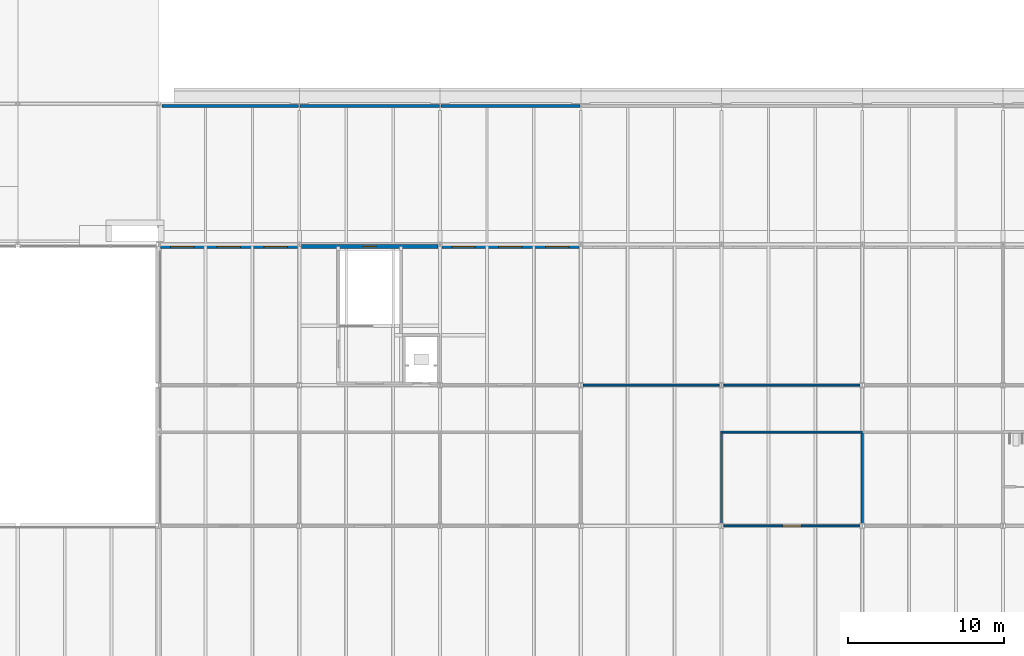
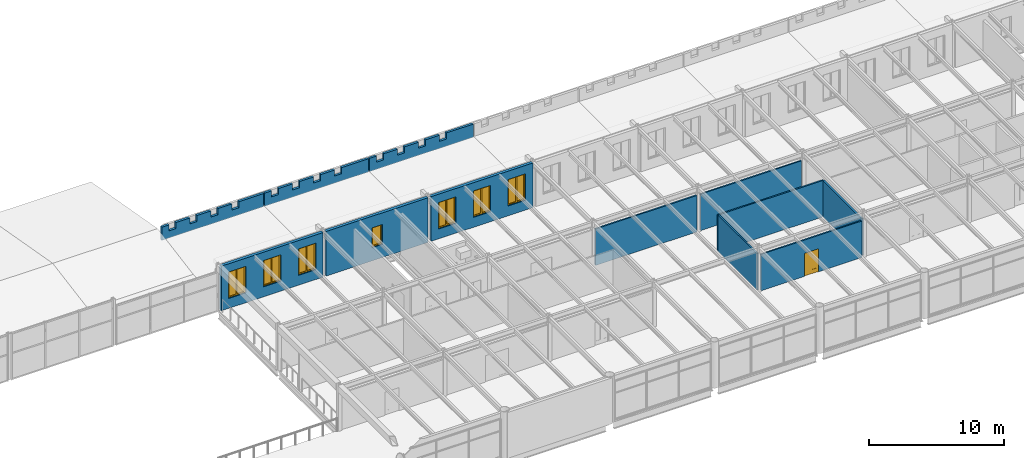
# One storey, part 81 of 123: 12 walls, 7 windows, 1 door, 8 openings.
"""IFC4 building model written with IfcOpenShell, lengths in metres."""

from ifc_helpers import new_model, si_unit, direction, frame, frame_2d, origin, place, context, subcontext, project, spatial, polyline, rectangle, outline, extrude, material, layer, layer_set, type_object, element, fill, save


model = new_model("IFC4")

# Units and contexts
model_context = context("Model", 3, precision=1e-05, world=origin(), true_north=direction((0.0, 1.0)))
body_context = subcontext(model_context, "Body", "Model", "MODEL_VIEW")
ifc_project = project(units=[si_unit("LENGTHUNIT", "METRE"), si_unit("AREAUNIT", "SQUARE_METRE"), si_unit("VOLUMEUNIT", "CUBIC_METRE"), si_unit("PLANEANGLEUNIT", "RADIAN"), si_unit("MASSUNIT", "GRAM", prefix="KILO")], contexts=[model_context])

# Site, building, storey
site_placement = place(None, origin())
site = spatial("IfcSite", under=ifc_project, at=site_placement, CompositionType="ELEMENT")
building_placement = place(site_placement, origin())
building = spatial("IfcBuilding", under=site, at=building_placement, Name="Baradari Gate Terminus", CompositionType="ELEMENT")
storey_placement = place(building_placement, frame((0.0, 0.0, 7.5)))
storey = spatial("IfcBuildingStorey", under=building, at=storey_placement, Name="L01", CompositionType="ELEMENT", Elevation=7.5)

# Walls
ifc_material_1 = material(Name="Gypsum board")
ifc_layer_1 = layer(ifc_material_1, 0.125)
ifc_layer_set_1 = layer_set([ifc_layer_1], Name="Gypsum board")
wall_type_1 = type_object("IfcWallType", Name="Corridor partition PT-5 125 EI 30", PredefinedType="PARTITIONING", material=ifc_layer_set_1)
wall_1_placement = place(storey_placement, frame((216.0, 96.0, 0.0), z_axis=(0.0, 0.0, 1.0), x_axis=(-1.0, 0.0, 0.0)))
element("IfcWall", 1, at=wall_1_placement, inside=storey, type_object=wall_type_1, Name="PT-5 partition Corridor (Service Corridor East) / Locker Room", PredefinedType="PARTITIONING", context=body_context, shape_type="SweptSolid", body=[
    extrude(rectangle(XDim=9.0625, YDim=0.125, at=frame_2d((4.53125, 0.0))), origin(), (0.0, 0.0, 1.0), 3.306884765625),
])
for number, where, z_axis, x_axis, name in (
    (2, (198.15380859375, 99.0, 0.0), (0.0, 0.0, 1.0), (1.0, 0.0, 0.0), "PT-5 partition Corridor (Service Corridor East) / Open Office"),
    (3, (207.15380859375, 99.0, 0.0), (0.0, 0.0, 1.0), (1.0, 0.0, 0.0), "PT-5 partition Corridor (Service Corridor East) / Open Office"),
):
    element("IfcWall", number, at=place(storey_placement, frame(where, z_axis=z_axis, x_axis=x_axis)), inside=storey, type_object=wall_type_1, Name=name, PredefinedType="PARTITIONING", context=body_context, shape_type="SweptSolid", body=[
        extrude(rectangle(XDim=8.6923828125, YDim=0.125, at=frame_2d((4.34619140625, 0.0))), origin(), (0.0, 0.0, 1.0), 3.306884765625),
    ])

# Wall, opening, door
wall_2_placement = place(storey_placement, frame((207.15380859375, 90.0, 0.0), z_axis=(0.0, 0.0, 1.0), x_axis=(1.0, 0.0, 0.0)))
wall_2 = element("IfcWall", 4, at=wall_2_placement, inside=storey, type_object=wall_type_1, Name="PT-5 partition Gallery / Locker Room", PredefinedType="PARTITIONING", context=body_context, shape_type="SweptSolid", body=[
    extrude(rectangle(XDim=8.6923828125, YDim=0.125, at=frame_2d((4.34619140625, 0.0))), origin(), (0.0, 0.0, 1.0), 3.306884765625),
])
opening_1_placement = place(wall_2_placement, frame((3.746337890625, 0.0, 0.0)))
opening_1 = element("IfcOpeningElement", 5, at=opening_1_placement, cuts=wall_2, Name="Opening D01-045", PredefinedType="OPENING", context=body_context, shape_type="SweptSolid", body=[
    extrude(rectangle(XDim=1.199951171875, YDim=2.10009765625, at=frame_2d((0.60009765625, 1.050048828125))), frame((0.0, 0.072509765625, 0.0), z_axis=(0.0, -1.0, 0.0), x_axis=(1.0, 0.0, 0.0)), (0.0, 0.0, 1.0), 0.14501953125),
])
ifc_material_2 = material(Name="Steel S275", Category="steel")
door_type = type_object("IfcDoorType", Name="Fire door FI-1200-FD30S 1200x2100 FD30S", OperationType="DOUBLE_DOOR_SINGLE_SWING", PredefinedType="DOOR", material=ifc_material_2)
door_placement = place(opening_1_placement, origin())
door = element("IfcDoor", 6, at=door_placement, inside=storey, type_object=door_type, Name="Door Locker Room", OperationType="DOUBLE_DOOR_SINGLE_SWING", OverallHeight=2.1, OverallWidth=1.2, PredefinedType="DOOR", context=body_context, shape_type="SweptSolid", body=[
    extrude(outline(polyline([(0.0, 0.0), (0.070068359375, 0.0), (0.070068359375, 2.030029296875), (1.1298828125, 2.030029296875), (1.1298828125, 0.0), (1.199951171875, 0.0), (1.199951171875, 2.10009765625), (0.0, 2.10009765625), (0.0, 0.0)])), frame((0.0, 0.02490234375, 0.0), z_axis=(0.0, -1.0, 0.0), x_axis=(1.0, 0.0, 0.0)), (0.0, 0.0, 1.0), 0.050048828125),
    extrude(outline(polyline([(0.073974609375, 0.010009765625), (0.596923828125, 0.010009765625), (0.596923828125, 2.026123046875), (0.073974609375, 2.026123046875), (0.073974609375, 0.010009765625)]), holes=[polyline([(0.178466796875, 0.372802734375), (0.492431640625, 0.372802734375), (0.492431640625, 1.7841796875), (0.178466796875, 1.7841796875), (0.178466796875, 0.372802734375)])]), frame((0.0, 0.017333984375, 0.0), z_axis=(0.0, -1.0, 0.0), x_axis=(1.0, 0.0, 0.0)), (0.0, 0.0, 1.0), 0.034912109375),
    extrude(rectangle(XDim=0.31396484375, YDim=1.411376953125, at=frame_2d((0.33544921875, 1.07861328125))), frame((0.0, 0.008544921875, 0.0), z_axis=(0.0, -1.0, 0.0), x_axis=(1.0, 0.0, 0.0)), (0.0, 0.0, 1.0), 0.017333984375),
    extrude(outline(polyline([(0.60302734375, 0.010009765625), (1.1259765625, 0.010009765625), (1.1259765625, 2.026123046875), (0.60302734375, 2.026123046875), (0.60302734375, 0.010009765625)]), holes=[polyline([(0.70751953125, 0.372802734375), (1.021484375, 0.372802734375), (1.021484375, 1.7841796875), (0.70751953125, 1.7841796875), (0.70751953125, 0.372802734375)])]), frame((0.0, 0.017333984375, 0.0), z_axis=(0.0, -1.0, 0.0), x_axis=(1.0, 0.0, 0.0)), (0.0, 0.0, 1.0), 0.034912109375),
    extrude(rectangle(XDim=0.31396484375, YDim=1.411376953125, at=frame_2d((0.864501953125, 1.07861328125))), frame((0.0, 0.008544921875, 0.0), z_axis=(0.0, -1.0, 0.0), x_axis=(1.0, 0.0, 0.0)), (0.0, 0.0, 1.0), 0.017333984375),
])
fill(opening_1, door)

# Wall
wall_3_placement = place(storey_placement, frame((207.0, 95.9375, 0.0), z_axis=(0.0, 0.0, 1.0), x_axis=(0.0, -1.0, 0.0)))
element("IfcWall", 7, at=wall_3_placement, inside=storey, type_object=wall_type_1, Name="PT-5 partition Corridor (Cross Passage East) / Locker Room", PredefinedType="PARTITIONING", context=body_context, shape_type="SweptSolid", body=[
    extrude(rectangle(XDim=5.7802734375, YDim=0.125, at=frame_2d((2.89013671875, 0.0))), origin(), (0.0, 0.0, 1.0), 3.306884765625),
])

# Wall, openings, windows
ifc_material_3 = material(Name="Laterite masonry", Category="masonry")
ifc_layer_2 = layer(ifc_material_3, 0.25)
ifc_layer_set_2 = layer_set([ifc_layer_2], Name="Laterite masonry")
wall_type_2 = type_object("IfcWallType", Name="Laterite masonry wall WP-1 250", PredefinedType="SOLIDWALL", material=ifc_layer_set_2)
wall_4_placement = place(storey_placement, frame((171.128173828125, 107.87841796875, 0.0), z_axis=(0.0, 0.0, 1.0), x_axis=(1.0, 0.0, 0.0)))
wall_4 = element("IfcWall", 8, at=wall_4_placement, inside=storey, type_object=wall_type_2, Name="arcade gallery wall HN bay 20 L01", PredefinedType="SOLIDWALL", context=body_context, shape_type="SweptSolid", body=[
    extrude(rectangle(XDim=8.74365234375, YDim=0.25, at=frame_2d((4.371826171875, 0.0))), origin(), (0.0, 0.0, 1.0), 4.050048828125),
])
opening_2_placement = place(wall_4_placement, frame((0.621826171875, 0.0, 0.89990234375)))
opening_2 = element("IfcOpeningElement", 9, at=opening_2_placement, cuts=wall_4, Name="Opening W1", PredefinedType="OPENING", context=body_context, shape_type="SweptSolid", body=[
    extrude(rectangle(XDim=1.5, YDim=2.39990234375, at=frame_2d((0.75, 1.199951171875))), frame((0.0, 0.135009765625, 0.0), z_axis=(0.0, -1.0, 0.0), x_axis=(1.0, 0.0, 0.0)), (0.0, 0.0, 1.0), 0.27001953125),
])
opening_3_placement = place(wall_4_placement, frame((3.621826171875, 0.0, 0.89990234375)))
opening_3 = element("IfcOpeningElement", 10, at=opening_3_placement, cuts=wall_4, Name="Opening W1", PredefinedType="OPENING", context=body_context, shape_type="SweptSolid", body=[
    extrude(rectangle(XDim=1.5, YDim=2.39990234375, at=frame_2d((0.75, 1.199951171875))), frame((0.0, 0.135009765625, 0.0), z_axis=(0.0, -1.0, 0.0), x_axis=(1.0, 0.0, 0.0)), (0.0, 0.0, 1.0), 0.27001953125),
])
opening_4_placement = place(wall_4_placement, frame((6.621826171875, 0.0, 0.89990234375)))
opening_4 = element("IfcOpeningElement", 11, at=opening_4_placement, cuts=wall_4, Name="Opening W1", PredefinedType="OPENING", context=body_context, shape_type="SweptSolid", body=[
    extrude(rectangle(XDim=1.5, YDim=2.39990234375, at=frame_2d((0.75, 1.199951171875))), frame((0.0, 0.135009765625, 0.0), z_axis=(0.0, -1.0, 0.0), x_axis=(1.0, 0.0, 0.0)), (0.0, 0.0, 1.0), 0.27001953125),
])
ifc_material_4 = material(Name="Aluminium 6063-T6", Category="aluminium")
window_type_1 = type_object("IfcWindowType", Name="Punched window, 2-light W1 1500x2400", PartitioningType="DOUBLE_PANEL_VERTICAL", PredefinedType="WINDOW", material=ifc_material_4)
window_1_placement = place(opening_2_placement, origin())
window_1 = element("IfcWindow", 12, at=window_1_placement, inside=storey, type_object=window_type_1, Name="Window W1 HN/19", OverallHeight=2.4, OverallWidth=1.5, PartitioningType="DOUBLE_PANEL_VERTICAL", PredefinedType="WINDOW", context=body_context, shape_type="SweptSolid", body=[
    extrude(outline(polyline([(0.0, 0.0), (1.5, 0.0), (1.5, 2.39990234375), (0.0, 2.39990234375), (0.0, 0.0)]), holes=[polyline([(0.070068359375, 0.070068359375), (1.429931640625, 0.070068359375), (1.429931640625, 2.329833984375), (0.070068359375, 2.329833984375), (0.070068359375, 0.070068359375)])]), frame((0.0, 0.030029296875, 0.0), z_axis=(0.0, -1.0, 0.0), x_axis=(1.0, 0.0, 0.0)), (0.0, 0.0, 1.0), 0.06005859375),
    extrude(rectangle(XDim=0.0400390625, YDim=2.259765625, at=frame_2d((0.75, 1.199951171875))), frame((0.0, 0.02197265625, 0.0), z_axis=(0.0, -1.0, 0.0), x_axis=(1.0, 0.0, 0.0)), (0.0, 0.0, 1.0), 0.0439453125),
    extrude(outline(polyline([(0.070068359375, 0.070068359375), (0.72998046875, 0.070068359375), (0.72998046875, 2.329833984375), (0.070068359375, 2.329833984375), (0.070068359375, 0.070068359375)]), holes=[polyline([(0.10009765625, 0.10009765625), (0.699951171875, 0.10009765625), (0.699951171875, 2.2998046875), (0.10009765625, 2.2998046875), (0.10009765625, 0.10009765625)])]), frame((0.0, 0.0224609375, 0.0), z_axis=(0.0, -1.0, 0.0), x_axis=(1.0, 0.0, 0.0)), (0.0, 0.0, 1.0), 0.044921875),
    extrude(rectangle(XDim=0.599853515625, YDim=2.19970703125, at=frame_2d((0.39990234375, 1.199951171875))), frame((0.0, 0.006103515625, 0.0), z_axis=(0.0, -1.0, 0.0), x_axis=(1.0, 0.0, 0.0)), (0.0, 0.0, 1.0), 0.01220703125),
    extrude(outline(polyline([(0.77001953125, 0.070068359375), (1.429931640625, 0.070068359375), (1.429931640625, 2.329833984375), (0.77001953125, 2.329833984375), (0.77001953125, 0.070068359375)]), holes=[polyline([(0.800048828125, 0.10009765625), (1.39990234375, 0.10009765625), (1.39990234375, 2.2998046875), (0.800048828125, 2.2998046875), (0.800048828125, 0.10009765625)])]), frame((0.0, 0.0224609375, 0.0), z_axis=(0.0, -1.0, 0.0), x_axis=(1.0, 0.0, 0.0)), (0.0, 0.0, 1.0), 0.044921875),
    extrude(rectangle(XDim=0.599853515625, YDim=2.19970703125, at=frame_2d((1.10009765625, 1.199951171875))), frame((0.0, 0.006103515625, 0.0), z_axis=(0.0, -1.0, 0.0), x_axis=(1.0, 0.0, 0.0)), (0.0, 0.0, 1.0), 0.01220703125),
])
fill(opening_2, window_1)
window_2_placement = place(opening_3_placement, origin())
window_2 = element("IfcWindow", 13, at=window_2_placement, inside=storey, type_object=window_type_1, Name="Window W1 HN/19", OverallHeight=2.4, OverallWidth=1.5, PartitioningType="DOUBLE_PANEL_VERTICAL", PredefinedType="WINDOW", context=body_context, shape_type="SweptSolid", body=[
    extrude(outline(polyline([(0.0, 0.0), (1.5, 0.0), (1.5, 2.39990234375), (0.0, 2.39990234375), (0.0, 0.0)]), holes=[polyline([(0.070068359375, 0.070068359375), (1.429931640625, 0.070068359375), (1.429931640625, 2.329833984375), (0.070068359375, 2.329833984375), (0.070068359375, 0.070068359375)])]), frame((0.0, 0.030029296875, 0.0), z_axis=(0.0, -1.0, 0.0), x_axis=(1.0, 0.0, 0.0)), (0.0, 0.0, 1.0), 0.06005859375),
    extrude(rectangle(XDim=0.0400390625, YDim=2.259765625, at=frame_2d((0.75, 1.199951171875))), frame((0.0, 0.02197265625, 0.0), z_axis=(0.0, -1.0, 0.0), x_axis=(1.0, 0.0, 0.0)), (0.0, 0.0, 1.0), 0.0439453125),
    extrude(outline(polyline([(0.070068359375, 0.070068359375), (0.72998046875, 0.070068359375), (0.72998046875, 2.329833984375), (0.070068359375, 2.329833984375), (0.070068359375, 0.070068359375)]), holes=[polyline([(0.10009765625, 0.10009765625), (0.699951171875, 0.10009765625), (0.699951171875, 2.2998046875), (0.10009765625, 2.2998046875), (0.10009765625, 0.10009765625)])]), frame((0.0, 0.0224609375, 0.0), z_axis=(0.0, -1.0, 0.0), x_axis=(1.0, 0.0, 0.0)), (0.0, 0.0, 1.0), 0.044921875),
    extrude(rectangle(XDim=0.599853515625, YDim=2.19970703125, at=frame_2d((0.39990234375, 1.199951171875))), frame((0.0, 0.006103515625, 0.0), z_axis=(0.0, -1.0, 0.0), x_axis=(1.0, 0.0, 0.0)), (0.0, 0.0, 1.0), 0.01220703125),
    extrude(outline(polyline([(0.77001953125, 0.070068359375), (1.429931640625, 0.070068359375), (1.429931640625, 2.329833984375), (0.77001953125, 2.329833984375), (0.77001953125, 0.070068359375)]), holes=[polyline([(0.800048828125, 0.10009765625), (1.39990234375, 0.10009765625), (1.39990234375, 2.2998046875), (0.800048828125, 2.2998046875), (0.800048828125, 0.10009765625)])]), frame((0.0, 0.0224609375, 0.0), z_axis=(0.0, -1.0, 0.0), x_axis=(1.0, 0.0, 0.0)), (0.0, 0.0, 1.0), 0.044921875),
    extrude(rectangle(XDim=0.599853515625, YDim=2.19970703125, at=frame_2d((1.10009765625, 1.199951171875))), frame((0.0, 0.006103515625, 0.0), z_axis=(0.0, -1.0, 0.0), x_axis=(1.0, 0.0, 0.0)), (0.0, 0.0, 1.0), 0.01220703125),
])
fill(opening_3, window_2)
window_3_placement = place(opening_4_placement, origin())
window_3 = element("IfcWindow", 14, at=window_3_placement, inside=storey, type_object=window_type_1, Name="Window W1 HN/19", OverallHeight=2.4, OverallWidth=1.5, PartitioningType="DOUBLE_PANEL_VERTICAL", PredefinedType="WINDOW", context=body_context, shape_type="SweptSolid", body=[
    extrude(outline(polyline([(0.0, 0.0), (1.5, 0.0), (1.5, 2.39990234375), (0.0, 2.39990234375), (0.0, 0.0)]), holes=[polyline([(0.070068359375, 0.070068359375), (1.429931640625, 0.070068359375), (1.429931640625, 2.329833984375), (0.070068359375, 2.329833984375), (0.070068359375, 0.070068359375)])]), frame((0.0, 0.030029296875, 0.0), z_axis=(0.0, -1.0, 0.0), x_axis=(1.0, 0.0, 0.0)), (0.0, 0.0, 1.0), 0.06005859375),
    extrude(rectangle(XDim=0.0400390625, YDim=2.259765625, at=frame_2d((0.75, 1.199951171875))), frame((0.0, 0.02197265625, 0.0), z_axis=(0.0, -1.0, 0.0), x_axis=(1.0, 0.0, 0.0)), (0.0, 0.0, 1.0), 0.0439453125),
    extrude(outline(polyline([(0.070068359375, 0.070068359375), (0.72998046875, 0.070068359375), (0.72998046875, 2.329833984375), (0.070068359375, 2.329833984375), (0.070068359375, 0.070068359375)]), holes=[polyline([(0.10009765625, 0.10009765625), (0.699951171875, 0.10009765625), (0.699951171875, 2.2998046875), (0.10009765625, 2.2998046875), (0.10009765625, 0.10009765625)])]), frame((0.0, 0.0224609375, 0.0), z_axis=(0.0, -1.0, 0.0), x_axis=(1.0, 0.0, 0.0)), (0.0, 0.0, 1.0), 0.044921875),
    extrude(rectangle(XDim=0.599853515625, YDim=2.19970703125, at=frame_2d((0.39990234375, 1.199951171875))), frame((0.0, 0.006103515625, 0.0), z_axis=(0.0, -1.0, 0.0), x_axis=(1.0, 0.0, 0.0)), (0.0, 0.0, 1.0), 0.01220703125),
    extrude(outline(polyline([(0.77001953125, 0.070068359375), (1.429931640625, 0.070068359375), (1.429931640625, 2.329833984375), (0.77001953125, 2.329833984375), (0.77001953125, 0.070068359375)]), holes=[polyline([(0.800048828125, 0.10009765625), (1.39990234375, 0.10009765625), (1.39990234375, 2.2998046875), (0.800048828125, 2.2998046875), (0.800048828125, 0.10009765625)])]), frame((0.0, 0.0224609375, 0.0), z_axis=(0.0, -1.0, 0.0), x_axis=(1.0, 0.0, 0.0)), (0.0, 0.0, 1.0), 0.044921875),
    extrude(rectangle(XDim=0.599853515625, YDim=2.19970703125, at=frame_2d((1.10009765625, 1.199951171875))), frame((0.0, 0.006103515625, 0.0), z_axis=(0.0, -1.0, 0.0), x_axis=(1.0, 0.0, 0.0)), (0.0, 0.0, 1.0), 0.01220703125),
])
fill(opening_4, window_3)

# Wall, opening, window
wall_5_placement = place(storey_placement, frame((180.128173828125, 107.87841796875, 0.0), z_axis=(0.0, 0.0, 1.0), x_axis=(1.0, 0.0, 0.0)))
wall_5 = element("IfcWall", 15, at=wall_5_placement, inside=storey, type_object=wall_type_2, Name="arcade gallery wall HN bay 21 L01", PredefinedType="SOLIDWALL", context=body_context, shape_type="SweptSolid", body=[
    extrude(rectangle(XDim=8.74365234375, YDim=0.25, at=frame_2d((4.371826171875, 0.0))), origin(), (0.0, 0.0, 1.0), 4.050048828125),
])
opening_5_placement = place(wall_5_placement, frame((3.921875, 0.0, 1.199951171875)))
opening_5 = element("IfcOpeningElement", 16, at=opening_5_placement, cuts=wall_5, Name="Opening W6", PredefinedType="OPENING", context=body_context, shape_type="SweptSolid", body=[
    extrude(rectangle(XDim=0.89990234375, YDim=1.800048828125, at=frame_2d((0.449951171875, 0.89990234375))), frame((0.0, 0.135009765625, 0.0), z_axis=(0.0, -1.0, 0.0), x_axis=(1.0, 0.0, 0.0)), (0.0, 0.0, 1.0), 0.27001953125),
])
ifc_material_5 = material(Name="Aluminium 6063-T6", Category="aluminium")
window_type_2 = type_object("IfcWindowType", Name="Stair light W6 900x1800", PartitioningType="SINGLE_PANEL", PredefinedType="WINDOW", material=ifc_material_5)
window_4_placement = place(opening_5_placement, origin())
window_4 = element("IfcWindow", 17, at=window_4_placement, inside=storey, type_object=window_type_2, Name="Window W6 HN/20", OverallHeight=1.8, OverallWidth=0.9, PartitioningType="SINGLE_PANEL", PredefinedType="WINDOW", context=body_context, shape_type="SweptSolid", body=[
    extrude(outline(polyline([(0.0, 0.0), (0.89990234375, 0.0), (0.89990234375, 1.800048828125), (0.0, 1.800048828125), (0.0, 0.0)]), holes=[polyline([(0.070068359375, 0.070068359375), (0.829833984375, 0.070068359375), (0.829833984375, 1.72998046875), (0.070068359375, 1.72998046875), (0.070068359375, 0.070068359375)])]), frame((0.0, 0.030029296875, 0.0), z_axis=(0.0, -1.0, 0.0), x_axis=(1.0, 0.0, 0.0)), (0.0, 0.0, 1.0), 0.06005859375),
    extrude(outline(polyline([(0.070068359375, 0.070068359375), (0.829833984375, 0.070068359375), (0.829833984375, 1.72998046875), (0.070068359375, 1.72998046875), (0.070068359375, 0.070068359375)]), holes=[polyline([(0.10009765625, 0.10009765625), (0.7998046875, 0.10009765625), (0.7998046875, 1.699951171875), (0.10009765625, 1.699951171875), (0.10009765625, 0.10009765625)])]), frame((0.0, 0.0224609375, 0.0), z_axis=(0.0, -1.0, 0.0), x_axis=(1.0, 0.0, 0.0)), (0.0, 0.0, 1.0), 0.044921875),
    extrude(rectangle(XDim=0.69970703125, YDim=1.599853515625, at=frame_2d((0.449951171875, 0.89990234375))), frame((0.0, 0.006103515625, 0.0), z_axis=(0.0, -1.0, 0.0), x_axis=(1.0, 0.0, 0.0)), (0.0, 0.0, 1.0), 0.01220703125),
])
fill(opening_5, window_4)

# Wall, openings, windows
wall_6_placement = place(storey_placement, frame((189.128173828125, 107.87841796875, 0.0), z_axis=(0.0, 0.0, 1.0), x_axis=(1.0, 0.0, 0.0)))
wall_6 = element("IfcWall", 18, at=wall_6_placement, inside=storey, type_object=wall_type_2, Name="arcade gallery wall HN bay 22 L01", PredefinedType="SOLIDWALL", context=body_context, shape_type="SweptSolid", body=[
    extrude(rectangle(XDim=8.74365234375, YDim=0.25, at=frame_2d((4.371826171875, 0.0))), origin(), (0.0, 0.0, 1.0), 4.050048828125),
])
opening_6_placement = place(wall_6_placement, frame((0.621826171875, 0.0, 0.89990234375)))
opening_6 = element("IfcOpeningElement", 19, at=opening_6_placement, cuts=wall_6, Name="Opening W1", PredefinedType="OPENING", context=body_context, shape_type="SweptSolid", body=[
    extrude(rectangle(XDim=1.5, YDim=2.39990234375, at=frame_2d((0.75, 1.199951171875))), frame((0.0, 0.135009765625, 0.0), z_axis=(0.0, -1.0, 0.0), x_axis=(1.0, 0.0, 0.0)), (0.0, 0.0, 1.0), 0.27001953125),
])
opening_7_placement = place(wall_6_placement, frame((3.621826171875, 0.0, 0.89990234375)))
opening_7 = element("IfcOpeningElement", 20, at=opening_7_placement, cuts=wall_6, Name="Opening W1", PredefinedType="OPENING", context=body_context, shape_type="SweptSolid", body=[
    extrude(rectangle(XDim=1.5, YDim=2.39990234375, at=frame_2d((0.75, 1.199951171875))), frame((0.0, 0.135009765625, 0.0), z_axis=(0.0, -1.0, 0.0), x_axis=(1.0, 0.0, 0.0)), (0.0, 0.0, 1.0), 0.27001953125),
])
opening_8_placement = place(wall_6_placement, frame((6.621826171875, 0.0, 0.89990234375)))
opening_8 = element("IfcOpeningElement", 21, at=opening_8_placement, cuts=wall_6, Name="Opening W1", PredefinedType="OPENING", context=body_context, shape_type="SweptSolid", body=[
    extrude(rectangle(XDim=1.5, YDim=2.39990234375, at=frame_2d((0.75, 1.199951171875))), frame((0.0, 0.135009765625, 0.0), z_axis=(0.0, -1.0, 0.0), x_axis=(1.0, 0.0, 0.0)), (0.0, 0.0, 1.0), 0.27001953125),
])
window_5_placement = place(opening_6_placement, origin())
window_5 = element("IfcWindow", 22, at=window_5_placement, inside=storey, type_object=window_type_1, Name="Window W1 HN/21", OverallHeight=2.4, OverallWidth=1.5, PartitioningType="DOUBLE_PANEL_VERTICAL", PredefinedType="WINDOW", context=body_context, shape_type="SweptSolid", body=[
    extrude(outline(polyline([(0.0, 0.0), (1.5, 0.0), (1.5, 2.39990234375), (0.0, 2.39990234375), (0.0, 0.0)]), holes=[polyline([(0.070068359375, 0.070068359375), (1.429931640625, 0.070068359375), (1.429931640625, 2.329833984375), (0.070068359375, 2.329833984375), (0.070068359375, 0.070068359375)])]), frame((0.0, 0.030029296875, 0.0), z_axis=(0.0, -1.0, 0.0), x_axis=(1.0, 0.0, 0.0)), (0.0, 0.0, 1.0), 0.06005859375),
    extrude(rectangle(XDim=0.0400390625, YDim=2.259765625, at=frame_2d((0.75, 1.199951171875))), frame((0.0, 0.02197265625, 0.0), z_axis=(0.0, -1.0, 0.0), x_axis=(1.0, 0.0, 0.0)), (0.0, 0.0, 1.0), 0.0439453125),
    extrude(outline(polyline([(0.070068359375, 0.070068359375), (0.72998046875, 0.070068359375), (0.72998046875, 2.329833984375), (0.070068359375, 2.329833984375), (0.070068359375, 0.070068359375)]), holes=[polyline([(0.10009765625, 0.10009765625), (0.699951171875, 0.10009765625), (0.699951171875, 2.2998046875), (0.10009765625, 2.2998046875), (0.10009765625, 0.10009765625)])]), frame((0.0, 0.0224609375, 0.0), z_axis=(0.0, -1.0, 0.0), x_axis=(1.0, 0.0, 0.0)), (0.0, 0.0, 1.0), 0.044921875),
    extrude(rectangle(XDim=0.599853515625, YDim=2.19970703125, at=frame_2d((0.39990234375, 1.199951171875))), frame((0.0, 0.006103515625, 0.0), z_axis=(0.0, -1.0, 0.0), x_axis=(1.0, 0.0, 0.0)), (0.0, 0.0, 1.0), 0.01220703125),
    extrude(outline(polyline([(0.77001953125, 0.070068359375), (1.429931640625, 0.070068359375), (1.429931640625, 2.329833984375), (0.77001953125, 2.329833984375), (0.77001953125, 0.070068359375)]), holes=[polyline([(0.800048828125, 0.10009765625), (1.39990234375, 0.10009765625), (1.39990234375, 2.2998046875), (0.800048828125, 2.2998046875), (0.800048828125, 0.10009765625)])]), frame((0.0, 0.0224609375, 0.0), z_axis=(0.0, -1.0, 0.0), x_axis=(1.0, 0.0, 0.0)), (0.0, 0.0, 1.0), 0.044921875),
    extrude(rectangle(XDim=0.599853515625, YDim=2.19970703125, at=frame_2d((1.10009765625, 1.199951171875))), frame((0.0, 0.006103515625, 0.0), z_axis=(0.0, -1.0, 0.0), x_axis=(1.0, 0.0, 0.0)), (0.0, 0.0, 1.0), 0.01220703125),
])
fill(opening_6, window_5)
window_6_placement = place(opening_7_placement, origin())
window_6 = element("IfcWindow", 23, at=window_6_placement, inside=storey, type_object=window_type_1, Name="Window W1 HN/21", OverallHeight=2.4, OverallWidth=1.5, PartitioningType="DOUBLE_PANEL_VERTICAL", PredefinedType="WINDOW", context=body_context, shape_type="SweptSolid", body=[
    extrude(outline(polyline([(0.0, 0.0), (1.5, 0.0), (1.5, 2.39990234375), (0.0, 2.39990234375), (0.0, 0.0)]), holes=[polyline([(0.070068359375, 0.070068359375), (1.429931640625, 0.070068359375), (1.429931640625, 2.329833984375), (0.070068359375, 2.329833984375), (0.070068359375, 0.070068359375)])]), frame((0.0, 0.030029296875, 0.0), z_axis=(0.0, -1.0, 0.0), x_axis=(1.0, 0.0, 0.0)), (0.0, 0.0, 1.0), 0.06005859375),
    extrude(rectangle(XDim=0.0400390625, YDim=2.259765625, at=frame_2d((0.75, 1.199951171875))), frame((0.0, 0.02197265625, 0.0), z_axis=(0.0, -1.0, 0.0), x_axis=(1.0, 0.0, 0.0)), (0.0, 0.0, 1.0), 0.0439453125),
    extrude(outline(polyline([(0.070068359375, 0.070068359375), (0.72998046875, 0.070068359375), (0.72998046875, 2.329833984375), (0.070068359375, 2.329833984375), (0.070068359375, 0.070068359375)]), holes=[polyline([(0.10009765625, 0.10009765625), (0.699951171875, 0.10009765625), (0.699951171875, 2.2998046875), (0.10009765625, 2.2998046875), (0.10009765625, 0.10009765625)])]), frame((0.0, 0.0224609375, 0.0), z_axis=(0.0, -1.0, 0.0), x_axis=(1.0, 0.0, 0.0)), (0.0, 0.0, 1.0), 0.044921875),
    extrude(rectangle(XDim=0.599853515625, YDim=2.19970703125, at=frame_2d((0.39990234375, 1.199951171875))), frame((0.0, 0.006103515625, 0.0), z_axis=(0.0, -1.0, 0.0), x_axis=(1.0, 0.0, 0.0)), (0.0, 0.0, 1.0), 0.01220703125),
    extrude(outline(polyline([(0.77001953125, 0.070068359375), (1.429931640625, 0.070068359375), (1.429931640625, 2.329833984375), (0.77001953125, 2.329833984375), (0.77001953125, 0.070068359375)]), holes=[polyline([(0.800048828125, 0.10009765625), (1.39990234375, 0.10009765625), (1.39990234375, 2.2998046875), (0.800048828125, 2.2998046875), (0.800048828125, 0.10009765625)])]), frame((0.0, 0.0224609375, 0.0), z_axis=(0.0, -1.0, 0.0), x_axis=(1.0, 0.0, 0.0)), (0.0, 0.0, 1.0), 0.044921875),
    extrude(rectangle(XDim=0.599853515625, YDim=2.19970703125, at=frame_2d((1.10009765625, 1.199951171875))), frame((0.0, 0.006103515625, 0.0), z_axis=(0.0, -1.0, 0.0), x_axis=(1.0, 0.0, 0.0)), (0.0, 0.0, 1.0), 0.01220703125),
])
fill(opening_7, window_6)
window_7_placement = place(opening_8_placement, origin())
window_7 = element("IfcWindow", 24, at=window_7_placement, inside=storey, type_object=window_type_1, Name="Window W1 HN/21", OverallHeight=2.4, OverallWidth=1.5, PartitioningType="DOUBLE_PANEL_VERTICAL", PredefinedType="WINDOW", context=body_context, shape_type="SweptSolid", body=[
    extrude(outline(polyline([(0.0, 0.0), (1.5, 0.0), (1.5, 2.39990234375), (0.0, 2.39990234375), (0.0, 0.0)]), holes=[polyline([(0.070068359375, 0.070068359375), (1.429931640625, 0.070068359375), (1.429931640625, 2.329833984375), (0.070068359375, 2.329833984375), (0.070068359375, 0.070068359375)])]), frame((0.0, 0.030029296875, 0.0), z_axis=(0.0, -1.0, 0.0), x_axis=(1.0, 0.0, 0.0)), (0.0, 0.0, 1.0), 0.06005859375),
    extrude(rectangle(XDim=0.0400390625, YDim=2.259765625, at=frame_2d((0.75, 1.199951171875))), frame((0.0, 0.02197265625, 0.0), z_axis=(0.0, -1.0, 0.0), x_axis=(1.0, 0.0, 0.0)), (0.0, 0.0, 1.0), 0.0439453125),
    extrude(outline(polyline([(0.070068359375, 0.070068359375), (0.72998046875, 0.070068359375), (0.72998046875, 2.329833984375), (0.070068359375, 2.329833984375), (0.070068359375, 0.070068359375)]), holes=[polyline([(0.10009765625, 0.10009765625), (0.699951171875, 0.10009765625), (0.699951171875, 2.2998046875), (0.10009765625, 2.2998046875), (0.10009765625, 0.10009765625)])]), frame((0.0, 0.0224609375, 0.0), z_axis=(0.0, -1.0, 0.0), x_axis=(1.0, 0.0, 0.0)), (0.0, 0.0, 1.0), 0.044921875),
    extrude(rectangle(XDim=0.599853515625, YDim=2.19970703125, at=frame_2d((0.39990234375, 1.199951171875))), frame((0.0, 0.006103515625, 0.0), z_axis=(0.0, -1.0, 0.0), x_axis=(1.0, 0.0, 0.0)), (0.0, 0.0, 1.0), 0.01220703125),
    extrude(outline(polyline([(0.77001953125, 0.070068359375), (1.429931640625, 0.070068359375), (1.429931640625, 2.329833984375), (0.77001953125, 2.329833984375), (0.77001953125, 0.070068359375)]), holes=[polyline([(0.800048828125, 0.10009765625), (1.39990234375, 0.10009765625), (1.39990234375, 2.2998046875), (0.800048828125, 2.2998046875), (0.800048828125, 0.10009765625)])]), frame((0.0, 0.0224609375, 0.0), z_axis=(0.0, -1.0, 0.0), x_axis=(1.0, 0.0, 0.0)), (0.0, 0.0, 1.0), 0.044921875),
    extrude(rectangle(XDim=0.599853515625, YDim=2.19970703125, at=frame_2d((1.10009765625, 1.199951171875))), frame((0.0, 0.006103515625, 0.0), z_axis=(0.0, -1.0, 0.0), x_axis=(1.0, 0.0, 0.0)), (0.0, 0.0, 1.0), 0.01220703125),
])
fill(opening_8, window_7)

# Walls
ifc_material_6 = material(Name="Laterite masonry", Category="masonry")
ifc_layer_3 = layer(ifc_material_6, 0.199951171875)
ifc_layer_set_3 = layer_set([ifc_layer_3], Name="Laterite masonry")
wall_type_3 = type_object("IfcWallType", Name="Parapet PW-4 200x1200 arcade", PredefinedType="PARAPET", material=ifc_layer_set_3)
wall_7_placement = place(storey_placement, frame((171.22509765625, 116.85009765625, 0.89990234375), z_axis=(0.0, 0.0, 1.0), x_axis=(1.0, 0.0, 0.0)))
element("IfcWall", 25, at=wall_7_placement, inside=storey, type_object=wall_type_3, Name="Merlon parapet 2.1 1", PredefinedType="PARAPET", context=body_context, shape_type="SweptSolid", body=[
    extrude(outline(polyline([(6.60009765625, 1.2001953125), (6.60009765625, 0.650146484375), (6.0, 0.650146484375), (6.0, 1.2001953125), (4.800048828125, 1.2001953125), (4.800048828125, 0.650146484375), (4.199951171875, 0.650146484375), (4.199951171875, 1.2001953125), (3.0, 1.2001953125), (3.0, 0.650146484375), (2.39990234375, 0.650146484375), (2.39990234375, 1.2001953125), (1.199951171875, 1.2001953125), (1.199951171875, 0.650146484375), (0.60009765625, 0.650146484375), (0.60009765625, 1.2001953125), (0.0, 1.2001953125), (0.0, 0.0), (8.72509765625, 0.0), (8.72509765625, 1.2001953125), (6.60009765625, 1.2001953125)])), frame((0.0, 0.10009765625, 0.0), z_axis=(0.0, -1.0, 0.0), x_axis=(1.0, 0.0, 0.0)), (0.0, 0.0, 1.0), 0.199951171875),
])
for number, where, z_axis, x_axis, name in (
    (26, (180.050048828125, 116.85009765625, 0.89990234375), (0.0, 0.0, 1.0), (1.0, 0.0, 0.0), "Merlon parapet 2.2 1"),
    (27, (189.050048828125, 116.85009765625, 0.89990234375), (0.0, 0.0, 1.0), (1.0, 0.0, 0.0), "Merlon parapet 2.3 1"),
):
    element("IfcWall", number, at=place(storey_placement, frame(where, z_axis=z_axis, x_axis=x_axis)), inside=storey, type_object=wall_type_3, Name=name, PredefinedType="PARAPET", context=body_context, shape_type="SweptSolid", body=[
        extrude(outline(polyline([(6.60009765625, 1.2001953125), (6.60009765625, 0.650146484375), (6.0, 0.650146484375), (6.0, 1.2001953125), (4.800048828125, 1.2001953125), (4.800048828125, 0.650146484375), (4.199951171875, 0.650146484375), (4.199951171875, 1.2001953125), (3.0, 1.2001953125), (3.0, 0.650146484375), (2.39990234375, 0.650146484375), (2.39990234375, 1.2001953125), (1.199951171875, 1.2001953125), (1.199951171875, 0.650146484375), (0.60009765625, 0.650146484375), (0.60009765625, 1.2001953125), (0.0, 1.2001953125), (0.0, 0.0), (8.89990234375, 0.0), (8.89990234375, 1.2001953125), (6.60009765625, 1.2001953125)])), frame((0.0, 0.10009765625, 0.0), z_axis=(0.0, -1.0, 0.0), x_axis=(1.0, 0.0, 0.0)), (0.0, 0.0, 1.0), 0.199951171875),
    ])
ifc_material_7 = material(Name="Blockwork wall, plastered", Category="masonry")
ifc_layer_4 = layer(ifc_material_7, 0.14990234375)
ifc_layer_set_4 = layer_set([ifc_layer_4], Name="Blockwork wall, plastered")
wall_type_4 = type_object("IfcWallType", Name="Partition PT-2 150 EI 60", PredefinedType="PARTITIONING", material=ifc_layer_set_4)
wall_8_placement = place(storey_placement, frame((216.0, 95.9375, 0.0), z_axis=(0.0, 0.0, 1.0), x_axis=(0.0, -1.0, 0.0)))
element("IfcWall", 28, at=wall_8_placement, inside=storey, type_object=wall_type_4, Name="PT-2 partition Locker Room / Station Office 8", PredefinedType="PARTITIONING", context=body_context, shape_type="SweptSolid", body=[
    extrude(rectangle(XDim=5.7802734375, YDim=0.14990234375, at=frame_2d((2.89013671875, 0.0))), origin(), (0.0, 0.0, 1.0), 3.306884765625),
])

save(model, "model.ifc")
